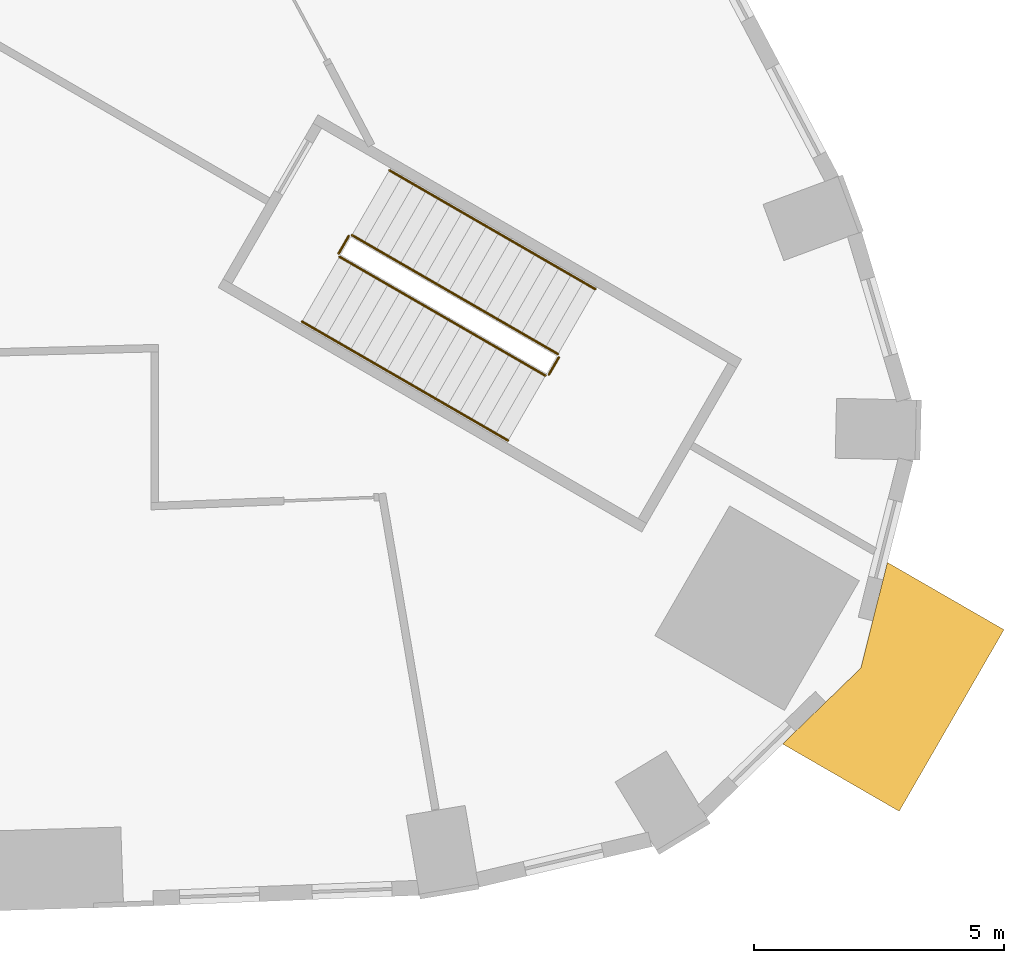
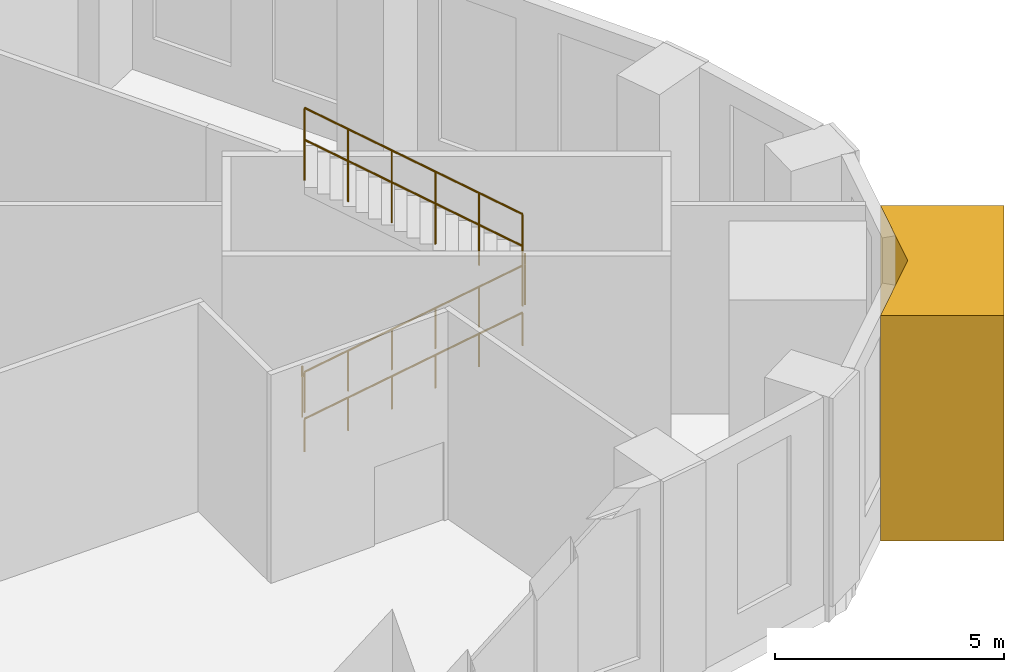
# One storey, part 14 of 15: 6 railings, 1 covering.
"""IFC4 building model written with IfcOpenShell, lengths in metres."""

from ifc_helpers import new_model, si_unit, direction, frame, origin, origin_2d, place, context, subcontext, project, spatial, polyline, circle, outline, extrude, material, type_object, element, save


model = new_model("IFC4")

# Units and contexts
model_context = context("Model", 3, precision=1e-05, world=origin(), true_north=direction((0.0, 1.0)))
body_context = subcontext(model_context, "Body", "Model", "MODEL_VIEW")
ifc_project = project(units=[si_unit("LENGTHUNIT", "METRE"), si_unit("AREAUNIT", "SQUARE_METRE"), si_unit("VOLUMEUNIT", "CUBIC_METRE"), si_unit("PLANEANGLEUNIT", "RADIAN"), si_unit("MASSUNIT", "GRAM", prefix="KILO")], contexts=[model_context])

# Site, building, storey
site_placement = place(None, origin())
site = spatial("IfcSite", under=ifc_project, at=site_placement, CompositionType="ELEMENT")
building_placement = place(site_placement, origin())
building = spatial("IfcBuilding", under=site, at=building_placement, Name="Entoto Arch Interchange Tower", CompositionType="ELEMENT")
storey_placement = place(building_placement, frame((0.0, 0.0, 9.0)))
storey = spatial("IfcBuildingStorey", under=building, at=storey_placement, Name="L01", CompositionType="ELEMENT", Elevation=9.0)

# Covering
ifc_material_1 = material(Name="Board-marked precast concrete C50/60", Category="concrete")
covering_type = type_object("IfcCoveringType", Name="PRECAST FRAME COURSE", PredefinedType="CLADDING", material=ifc_material_1)
covering_placement = place(storey_placement, frame((0.0, 0.0, -0.449951171875)))
element("IfcCovering", 1, at=covering_placement, inside=storey, type_object=covering_type, Name="Podium corner pier SE L01", PredefinedType="CLADDING", context=body_context, shape_type="SweptSolid", body=[
    extrude(outline(polyline([(41.916015625, -26.625), (39.580078125, -25.27587890625), (41.14697265625, -23.756103515625), (41.679931640625, -21.638916015625), (44.01611328125, -22.987060546875), (41.916015625, -26.625)])), origin(), (0.0, 0.0, 1.0), 6.0),
])

# Railings
ifc_material_2 = material(Name="Stainless steel 1.4301", Category="steel")
railing_type_1 = type_object("IfcRailingType", Name="STAIR GUARD 1100 STEEL", PredefinedType="GUARDRAIL", material=ifc_material_2)
railing_1_placement = place(storey_placement, frame((30.70556640625, -15.516357421875, 0.166748046875)))
element("IfcRailing", 2, at=railing_1_placement, inside=storey, type_object=railing_type_1, Name="L01 PST-SE stair guard 1", PredefinedType="GUARDRAIL", context=body_context, shape_type="SweptSolid", body=[
    extrude(circle(Radius=0.02392578125, at=origin_2d()), frame((0.0, 0.0, 1.076171875), z_axis=(0.744170432188, -0.42966642247, 0.511465671634), x_axis=(0.5000169524, 0.866015616091, 0.0)), (0.0, 0.0, 1.0), 5.53955078125),
    extrude(circle(Radius=0.02099609375, at=origin_2d()), origin(), (0.0, 0.0, 1.0), 1.052001953125),
    extrude(circle(Radius=0.02099609375, at=origin_2d()), frame((0.824462890625, -0.47607421875, 0.566650390625)), (0.0, 0.0, 1.0), 1.052001953125),
    extrude(circle(Radius=0.02099609375, at=origin_2d()), frame((1.64892578125, -0.9521484375, 1.13330078125)), (0.0, 0.0, 1.0), 1.052001953125),
    extrude(circle(Radius=0.02099609375, at=origin_2d()), frame((2.473388671875, -1.427978515625, 1.699951171875)), (0.0, 0.0, 1.0), 1.052001953125),
    extrude(circle(Radius=0.02099609375, at=origin_2d()), frame((3.2978515625, -1.904052734375, 2.2666015625)), (0.0, 0.0, 1.0), 1.052001953125),
    extrude(circle(Radius=0.02099609375, at=origin_2d()), frame((4.122314453125, -2.380126953125, 2.833251953125)), (0.0, 0.0, 1.0), 1.052001953125),
])
railing_2_placement = place(storey_placement, frame((34.896240234375, -17.878173828125, 3.0)))
element("IfcRailing", 3, at=railing_2_placement, inside=storey, type_object=railing_type_1, Name="L01 PST-SE stair guard 2", PredefinedType="GUARDRAIL", context=body_context, shape_type="SweptSolid", body=[
    extrude(circle(Radius=0.02392578125, at=origin_2d()), frame((0.0, 0.0, 1.076171875), z_axis=(0.499880961361, 0.866094119867, 0.0), x_axis=(-0.866094119867, 0.499880961361, 0.0)), (0.0, 0.0, 1.0), 0.39990234375),
    extrude(circle(Radius=0.02099609375, at=origin_2d()), origin(), (0.0, 0.0, 1.0), 1.052001953125),
    extrude(circle(Radius=0.02099609375, at=origin_2d()), frame((0.199951171875, 0.346435546875, 0.0)), (0.0, 0.0, 1.0), 1.052001953125),
])
railing_3_placement = place(storey_placement, frame((35.077880859375, -17.46337890625, 3.166748046875)))
element("IfcRailing", 4, at=railing_3_placement, inside=storey, type_object=railing_type_1, Name="L01 PST-SE stair guard 3", PredefinedType="GUARDRAIL", context=body_context, shape_type="SweptSolid", body=[
    extrude(circle(Radius=0.02392578125, at=origin_2d()), frame((0.0, 0.0, 1.076171875), z_axis=(-0.744184523948, 0.429630485013, 0.51147535685), x_axis=(-0.499978485002, -0.866037825118, 0.0)), (0.0, 0.0, 1.0), 5.539306640625),
    extrude(circle(Radius=0.02099609375, at=origin_2d()), origin(), (0.0, 0.0, 1.0), 1.052001953125),
    extrude(circle(Radius=0.02099609375, at=origin_2d()), frame((-0.824462890625, 0.47607421875, 0.566650390625)), (0.0, 0.0, 1.0), 1.052001953125),
    extrude(circle(Radius=0.02099609375, at=origin_2d()), frame((-1.64892578125, 0.951904296875, 1.13330078125)), (0.0, 0.0, 1.0), 1.052001953125),
    extrude(circle(Radius=0.02099609375, at=origin_2d()), frame((-2.473388671875, 1.427978515625, 1.699951171875)), (0.0, 0.0, 1.0), 1.052001953125),
    extrude(circle(Radius=0.02099609375, at=origin_2d()), frame((-3.2978515625, 1.90380859375, 2.2666015625)), (0.0, 0.0, 1.0), 1.052001953125),
    extrude(circle(Radius=0.02099609375, at=origin_2d()), frame((-4.122314453125, 2.3798828125, 2.833251953125)), (0.0, 0.0, 1.0), 1.052001953125),
])
railing_4_placement = place(storey_placement, frame((30.687255859375, -15.4482421875, 0.0)))
element("IfcRailing", 5, at=railing_4_placement, inside=storey, type_object=railing_type_1, Name="L01 PST-SE stair guard 4", PredefinedType="GUARDRAIL", context=body_context, shape_type="SweptSolid", body=[
    extrude(circle(Radius=0.02392578125, at=origin_2d()), frame((0.0, 0.0, 1.076171875), z_axis=(0.499880961361, 0.866094119867, 0.0), x_axis=(-0.866094119867, 0.499880961361, 0.0)), (0.0, 0.0, 1.0), 0.39990234375),
    extrude(circle(Radius=0.02099609375, at=origin_2d()), origin(), (0.0, 0.0, 1.0), 1.052001953125),
    extrude(circle(Radius=0.02099609375, at=origin_2d()), frame((0.199951171875, 0.346435546875, 0.0)), (0.0, 0.0, 1.0), 1.052001953125),
])
railing_type_2 = type_object("IfcRailingType", Name="STAIR HANDRAIL 900 STEEL", PredefinedType="HANDRAIL", material=ifc_material_2)
railing_5_placement = place(storey_placement, frame((29.95556640625, -16.8154296875, 0.166748046875)))
element("IfcRailing", 6, at=railing_5_placement, inside=storey, type_object=railing_type_2, Name="L01 PST-SE stair handrail 1", PredefinedType="HANDRAIL", context=body_context, shape_type="SweptSolid", body=[
    extrude(circle(Radius=0.02392578125, at=origin_2d()), frame((0.0, 0.0, 0.8759765625), z_axis=(0.744170432188, -0.42966642247, 0.511465671634), x_axis=(0.5000169524, 0.866015616091, 0.0)), (0.0, 0.0, 1.0), 5.53955078125),
    extrude(circle(Radius=0.02099609375, at=origin_2d()), origin(), (0.0, 0.0, 1.0), 0.851806640625),
    extrude(circle(Radius=0.02099609375, at=origin_2d()), frame((0.824462890625, -0.47607421875, 0.566650390625)), (0.0, 0.0, 1.0), 0.851806640625),
    extrude(circle(Radius=0.02099609375, at=origin_2d()), frame((1.64892578125, -0.9521484375, 1.13330078125)), (0.0, 0.0, 1.0), 0.851806640625),
    extrude(circle(Radius=0.02099609375, at=origin_2d()), frame((2.473388671875, -1.427978515625, 1.699951171875)), (0.0, 0.0, 1.0), 0.851806640625),
    extrude(circle(Radius=0.02099609375, at=origin_2d()), frame((3.2978515625, -1.904052734375, 2.2666015625)), (0.0, 0.0, 1.0), 0.851806640625),
    extrude(circle(Radius=0.02099609375, at=origin_2d()), frame((4.122314453125, -2.380126953125, 2.833251953125)), (0.0, 0.0, 1.0), 0.851806640625),
])
railing_6_placement = place(storey_placement, frame((35.827880859375, -16.164306640625, 3.166748046875)))
element("IfcRailing", 7, at=railing_6_placement, inside=storey, type_object=railing_type_2, Name="L01 PST-SE stair handrail 2", PredefinedType="HANDRAIL", context=body_context, shape_type="SweptSolid", body=[
    extrude(circle(Radius=0.02392578125, at=origin_2d()), frame((0.0, 0.0, 0.8759765625), z_axis=(-0.744184523948, 0.429630485013, 0.51147535685), x_axis=(-0.499978485002, -0.866037825118, 0.0)), (0.0, 0.0, 1.0), 5.539306640625),
    extrude(circle(Radius=0.02099609375, at=origin_2d()), origin(), (0.0, 0.0, 1.0), 0.851806640625),
    extrude(circle(Radius=0.02099609375, at=origin_2d()), frame((-0.824462890625, 0.47607421875, 0.566650390625)), (0.0, 0.0, 1.0), 0.851806640625),
    extrude(circle(Radius=0.02099609375, at=origin_2d()), frame((-1.64892578125, 0.951904296875, 1.13330078125)), (0.0, 0.0, 1.0), 0.851806640625),
    extrude(circle(Radius=0.02099609375, at=origin_2d()), frame((-2.473388671875, 1.427978515625, 1.699951171875)), (0.0, 0.0, 1.0), 0.851806640625),
    extrude(circle(Radius=0.02099609375, at=origin_2d()), frame((-3.2978515625, 1.90380859375, 2.2666015625)), (0.0, 0.0, 1.0), 0.851806640625),
    extrude(circle(Radius=0.02099609375, at=origin_2d()), frame((-4.122314453125, 2.3798828125, 2.833251953125)), (0.0, 0.0, 1.0), 0.851806640625),
])

save(model, "model.ifc")
